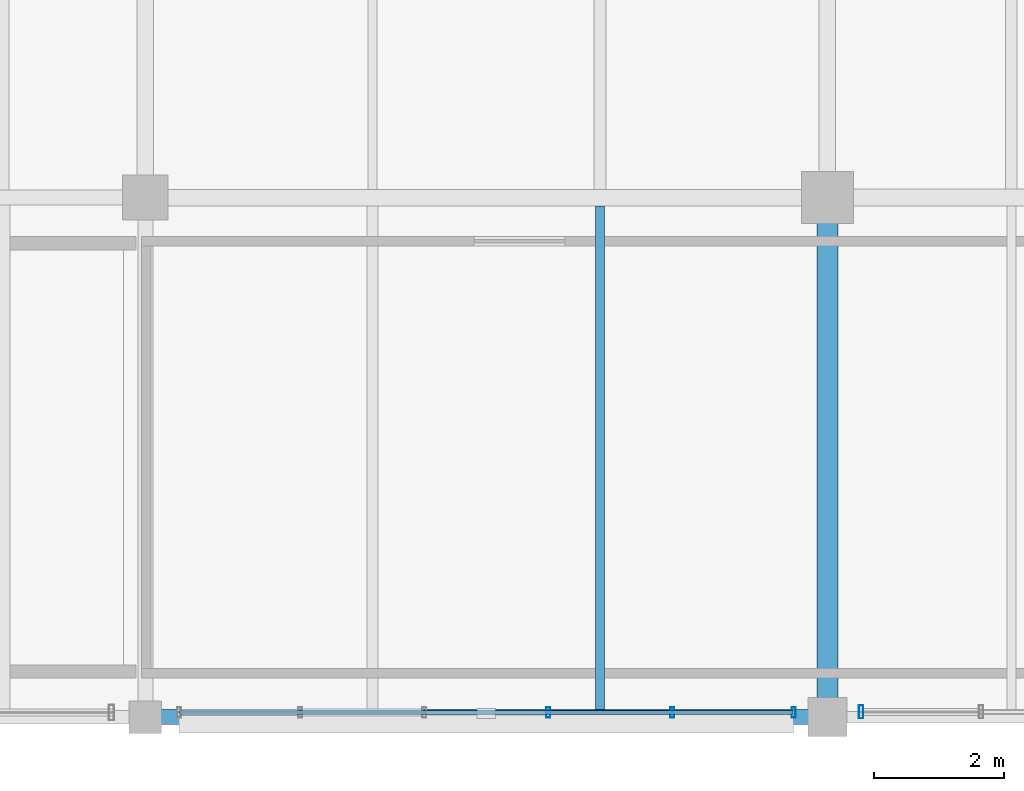
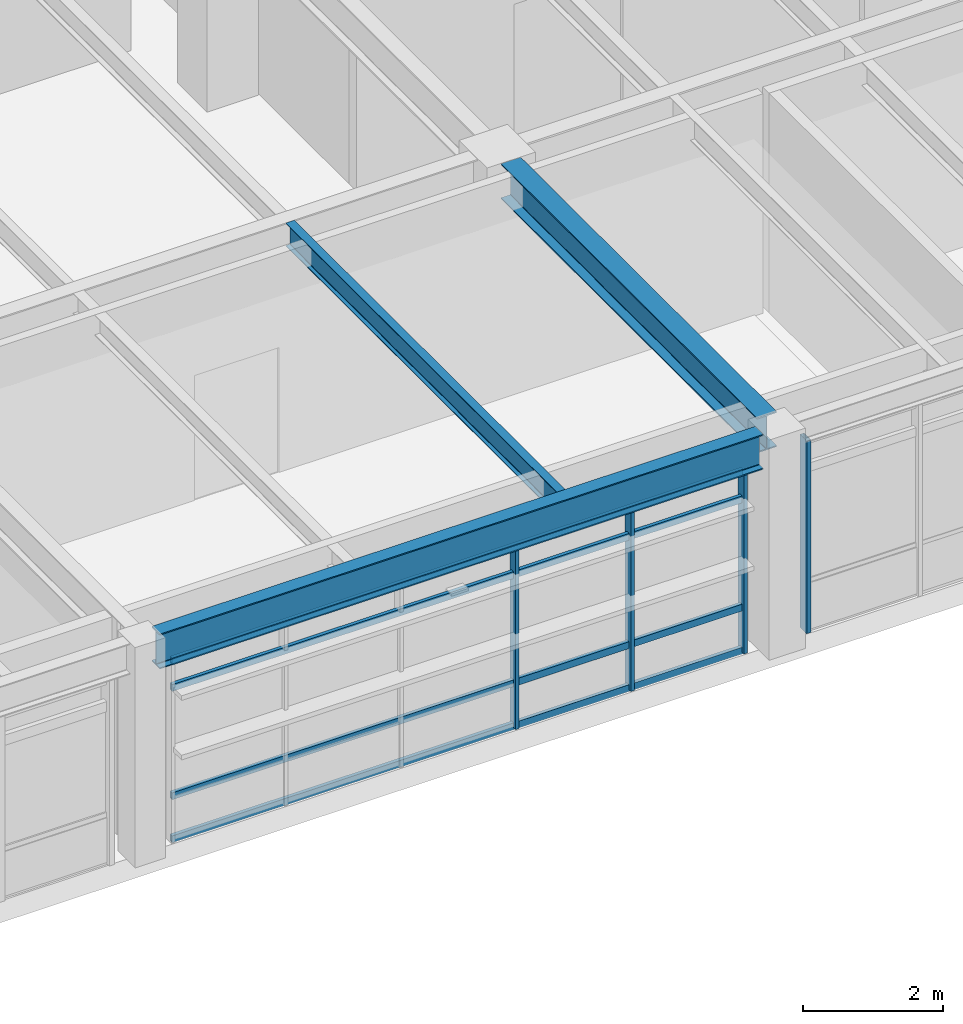
# One storey, part 5 of 26: 8 members, 3 beams, 2 elements without a shape of their own.
"""IFC4 building model written with IfcOpenShell, lengths in metres."""

from ifc_helpers import new_model, si_unit, direction, frame, origin, origin_2d, place, context, subcontext, project, spatial, hollow_rectangle, i_section, extrude, material, material_profile, profile_set, type_object, element, aggregate, save


model = new_model("IFC4")

# Units and contexts
model_context = context("Model", 3, precision=1e-05, world=origin(), true_north=direction((0.0, 1.0)))
body_context = subcontext(model_context, "Body", "Model", "MODEL_VIEW")
ifc_project = project(units=[si_unit("LENGTHUNIT", "METRE"), si_unit("AREAUNIT", "SQUARE_METRE"), si_unit("VOLUMEUNIT", "CUBIC_METRE"), si_unit("PLANEANGLEUNIT", "RADIAN"), si_unit("MASSUNIT", "GRAM", prefix="KILO"), si_unit("THERMODYNAMICTEMPERATUREUNIT", "KELVIN"), si_unit("POWERUNIT", "WATT")], contexts=[model_context])

# Site, building, storey
site_placement = place(None, origin())
site = spatial("IfcSite", under=ifc_project, at=site_placement, CompositionType="ELEMENT")
building_placement = place(site_placement, origin())
building = spatial("IfcBuilding", under=site, at=building_placement, Name="Tepalcoro Natatorium and Aquatics Centre", CompositionType="ELEMENT")
storey_placement = place(building_placement, frame((0.0, 0.0, 19.0)))
storey = spatial("IfcBuildingStorey", under=building, at=storey_placement, Name="L04", CompositionType="ELEMENT", Elevation=19.0)

# Beam
ifc_material_1 = material(Name="Steel ASTM A992 Grade 50 (Fy 345 MPa)", Category="steel")
ifc_material_profile_1 = material_profile(ifc_material_1, i_section(OverallWidth=0.324951171875, OverallDepth=0.616943359375, WebThickness=0.013916015625, FlangeThickness=0.02197265625, FilletRadius=0.013916015625, at=origin_2d()), Name="W24X117")
ifc_profile_set_1 = profile_set([ifc_material_profile_1], Name="Steel ASTM A992 Grade 50 (Fy 345 MPa)")
beam_type_1 = type_object("IfcBeamType", Name="BM_W24x117", PredefinedType="BEAM", material=ifc_profile_set_1)
beam_1_placement = place(storey_placement, frame((142.0, 94.284912109375, 3.526611328125), z_axis=(0.0, 1.0, 0.0), x_axis=(-1.0, 0.0, 0.0)))
element("IfcBeam", 1, at=beam_1_placement, inside=storey, type_object=beam_type_1, Name="V5 L04 Grid Girder Y", PredefinedType="BEAM", context=body_context, shape_type="SweptSolid", body=[
    extrude(i_section(OverallWidth=0.324951171875, OverallDepth=0.616943359375, WebThickness=0.013916015625, FlangeThickness=0.02197265625, FilletRadius=0.013916015625, at=origin_2d()), origin(), (0.0, 0.0, 1.0), 7.330078125),
])

# Curtain wall, members
ifc_material_2 = material(Name="Bronze-Anodised Extruded Aluminium Alloy EN AW-6063 T6", Category="aluminium")
curtain_wall_type_1 = type_object("IfcCurtainWallType", Name="CW_V4_VILLAGE", PredefinedType="USERDEFINED", material=ifc_material_2)
curtain_wall_1_placement = place(storey_placement, origin())
curtain_wall_1 = element("IfcCurtainWall", 2, at=curtain_wall_1_placement, inside=storey, type_object=curtain_wall_type_1, Name="V5 L04 S Unitised Curtain Wall Bay 3", ObjectType="UNITISED STOREFRONT", PredefinedType="USERDEFINED")
ifc_material_profile_2 = material_profile(ifc_material_2, hollow_rectangle(XDim=0.06005859375, YDim=0.159912109375, WallThickness=0.00390625, at=origin_2d()), Name="AL60X160X4")
ifc_profile_set_2 = profile_set([ifc_material_profile_2], Name="Bronze-Anodised Extruded Aluminium Alloy EN AW-6063 T6")
member_type_1 = type_object("IfcMemberType", Name="CW_MUL_60x160", PredefinedType="MULLION", material=ifc_profile_set_2)
member_1_placement = place(storey_placement, frame((137.7041015625, 94.0712890625, 0.02001953125), z_axis=(0.0, 0.0, 1.0), x_axis=(1.0, 0.0, 0.0)))
member_1 = element("IfcMember", 3, at=member_1_placement, type_object=member_type_1, Name="CW_V4_VILLAGE Curtain Wall Mullion", PredefinedType="MULLION", context=body_context, shape_type="SweptSolid", body=[
    extrude(hollow_rectangle(XDim=0.06005859375, YDim=0.159912109375, WallThickness=0.00390625, at=origin_2d()), origin(), (0.0, 0.0, 1.0), 3.16796875),
])
member_2_placement = place(storey_placement, frame((139.612060546875, 94.0712890625, 0.02001953125), z_axis=(0.0, 0.0, 1.0), x_axis=(1.0, 0.0, 0.0)))
member_2 = element("IfcMember", 4, at=member_2_placement, type_object=member_type_1, Name="CW_V4_VILLAGE Curtain Wall Mullion", PredefinedType="MULLION", context=body_context, shape_type="SweptSolid", body=[
    extrude(hollow_rectangle(XDim=0.06005859375, YDim=0.159912109375, WallThickness=0.00390625, at=origin_2d()), origin(), (0.0, 0.0, 1.0), 3.16796875),
])
member_3_placement = place(storey_placement, frame((141.47998046875, 94.0712890625, 0.02001953125), z_axis=(0.0, 0.0, 1.0), x_axis=(1.0, 0.0, 0.0)))
member_3 = element("IfcMember", 5, at=member_3_placement, type_object=member_type_1, Name="CW_V4_VILLAGE Curtain Wall Mullion", PredefinedType="MULLION", context=body_context, shape_type="SweptSolid", body=[
    extrude(hollow_rectangle(XDim=0.06005859375, YDim=0.159912109375, WallThickness=0.00390625, at=origin_2d()), origin(), (0.0, 0.0, 1.0), 3.16796875),
])

# Curtain wall, member
curtain_wall_type_2 = type_object("IfcCurtainWallType", Name="CW_V5_LOWER", PredefinedType="USERDEFINED", material=ifc_material_2)
curtain_wall_2_placement = place(storey_placement, origin())
curtain_wall_2 = element("IfcCurtainWall", 6, at=curtain_wall_2_placement, inside=storey, type_object=curtain_wall_type_2, Name="V5 L04 S Unitised Curtain Wall Bay 4", ObjectType="UNITISED STOREFRONT", PredefinedType="USERDEFINED")
ifc_material_profile_3 = material_profile(ifc_material_2, hollow_rectangle(XDim=0.070068359375, YDim=0.199951171875, WallThickness=0.0048828125, at=origin_2d()), Name="AL70X200X5")
ifc_profile_set_3 = profile_set([ifc_material_profile_3], Name="Bronze-Anodised Extruded Aluminium Alloy EN AW-6063 T6")
member_type_2 = type_object("IfcMemberType", Name="CW_MUL_70x200", PredefinedType="MULLION", material=ifc_profile_set_3)
member_4_placement = place(storey_placement, frame((142.52001953125, 94.080078125, 0.02001953125), z_axis=(0.0, 0.0, 1.0), x_axis=(1.0, 0.0, 0.0)))
member_4 = element("IfcMember", 7, at=member_4_placement, type_object=member_type_2, Name="CW_V5_LOWER Curtain Wall Mullion", PredefinedType="MULLION", context=body_context, shape_type="SweptSolid", body=[
    extrude(hollow_rectangle(XDim=0.070068359375, YDim=0.199951171875, WallThickness=0.0048828125, at=origin_2d()), origin(), (0.0, 0.0, 1.0), 3.366943359375),
])
aggregate(curtain_wall_2, [member_4])

# Member
ifc_material_profile_4 = material_profile(ifc_material_2, hollow_rectangle(XDim=0.06005859375, YDim=0.1201171875, WallThickness=0.00390625, at=origin_2d()), Name="AL60X120X4")
ifc_profile_set_4 = profile_set([ifc_material_profile_4], Name="Bronze-Anodised Extruded Aluminium Alloy EN AW-6063 T6")
member_type_3 = type_object("IfcMemberType", Name="CW_TRN_60x120", PredefinedType="USERDEFINED", material=ifc_profile_set_4)
member_5_placement = place(storey_placement, frame((132.030029296875, 94.0712890625, 0.050048828125), z_axis=(1.0, 0.0, 0.0), x_axis=(0.0, 1.0, 0.0)))
member_5 = element("IfcMember", 8, at=member_5_placement, type_object=member_type_3, Name="CW_V4_VILLAGE Curtain Wall Transom", ObjectType="TRANSOM", PredefinedType="USERDEFINED", context=body_context, shape_type="SweptSolid", body=[
    extrude(hollow_rectangle(XDim=0.06005859375, YDim=0.1201171875, WallThickness=0.00390625, at=origin_2d()), origin(), (0.0, 0.0, 1.0), 9.43994140625),
])

member_6_placement = place(storey_placement, frame((132.030029296875, 94.0712890625, 0.802001953125), z_axis=(1.0, 0.0, 0.0), x_axis=(0.0, 1.0, 0.0)))
member_6 = element("IfcMember", 9, at=member_6_placement, type_object=member_type_3, Name="CW_V4_VILLAGE Curtain Wall Transom", ObjectType="TRANSOM", PredefinedType="USERDEFINED", context=body_context, shape_type="SweptSolid", body=[
    extrude(hollow_rectangle(XDim=0.06005859375, YDim=0.1201171875, WallThickness=0.00390625, at=origin_2d()), origin(), (0.0, 0.0, 1.0), 9.43994140625),
])

member_7_placement = place(storey_placement, frame((132.030029296875, 94.0712890625, 2.69482421875), z_axis=(1.0, 0.0, 0.0), x_axis=(0.0, 1.0, 0.0)))
member_7 = element("IfcMember", 10, at=member_7_placement, type_object=member_type_3, Name="CW_V4_VILLAGE Curtain Wall Transom", ObjectType="TRANSOM", PredefinedType="USERDEFINED", context=body_context, shape_type="SweptSolid", body=[
    extrude(hollow_rectangle(XDim=0.06005859375, YDim=0.1201171875, WallThickness=0.00390625, at=origin_2d()), origin(), (0.0, 0.0, 1.0), 9.43994140625),
])

member_8_placement = place(storey_placement, frame((132.030029296875, 94.0712890625, 3.157958984375), z_axis=(1.0, 0.0, 0.0), x_axis=(0.0, 1.0, 0.0)))
member_8 = element("IfcMember", 11, at=member_8_placement, type_object=member_type_3, Name="CW_V4_VILLAGE Curtain Wall Transom", ObjectType="TRANSOM", PredefinedType="USERDEFINED", context=body_context, shape_type="SweptSolid", body=[
    extrude(hollow_rectangle(XDim=0.06005859375, YDim=0.1201171875, WallThickness=0.00390625, at=origin_2d()), origin(), (0.0, 0.0, 1.0), 9.43994140625),
])

aggregate(curtain_wall_1, [member_1, member_2, member_3, member_5, member_6, member_7, member_8])

# Beams
ifc_material_profile_5 = material_profile(ifc_material_1, i_section(OverallWidth=0.139892578125, OverallDepth=0.404052734375, WebThickness=0.007080078125, FlangeThickness=0.010986328125, FilletRadius=0.013916015625, at=origin_2d()), Name="W16X31")
ifc_profile_set_5 = profile_set([ifc_material_profile_5], Name="Steel ASTM A992 Grade 50 (Fy 345 MPa)")
beam_type_2 = type_object("IfcBeamType", Name="JS_W16x31", PredefinedType="JOIST", material=ifc_profile_set_5)
beam_2_placement = place(storey_placement, frame((138.5, 94.114501953125, 3.633056640625), z_axis=(0.0, 1.0, 0.0), x_axis=(-1.0, 0.0, 0.0)))
element("IfcBeam", 12, at=beam_2_placement, inside=storey, type_object=beam_type_2, Name="V5 L04 Floor Joist", PredefinedType="JOIST", context=body_context, shape_type="SweptSolid", body=[
    extrude(i_section(OverallWidth=0.139892578125, OverallDepth=0.404052734375, WebThickness=0.007080078125, FlangeThickness=0.010986328125, FilletRadius=0.013916015625, at=origin_2d()), origin(), (0.0, 0.0, 1.0), 7.758544921875),
])
ifc_material_profile_6 = material_profile(ifc_material_1, i_section(OverallWidth=0.22900390625, OverallDepth=0.612060546875, WebThickness=0.011962890625, FlangeThickness=0.02001953125, FilletRadius=0.013916015625, at=origin_2d()), Name="W24X84")
ifc_profile_set_6 = profile_set([ifc_material_profile_6], Name="Steel ASTM A992 Grade 50 (Fy 345 MPa)")
beam_type_3 = type_object("IfcBeamType", Name="SP_W24x84", PredefinedType="SPANDREL", material=ifc_profile_set_6)
beam_3_placement = place(storey_placement, frame((131.735107421875, 94.0, 3.529052734375), z_axis=(1.0, 0.0, 0.0), x_axis=(0.0, 1.0, 0.0)))
element("IfcBeam", 13, at=beam_3_placement, inside=storey, type_object=beam_type_3, Name="V5 L04 Grid Girder X", PredefinedType="SPANDREL", context=body_context, shape_type="SweptSolid", body=[
    extrude(i_section(OverallWidth=0.22900390625, OverallDepth=0.612060546875, WebThickness=0.011962890625, FlangeThickness=0.02001953125, FilletRadius=0.013916015625, at=origin_2d()), origin(), (0.0, 0.0, 1.0), 9.97998046875),
])

save(model, "model.ifc")
